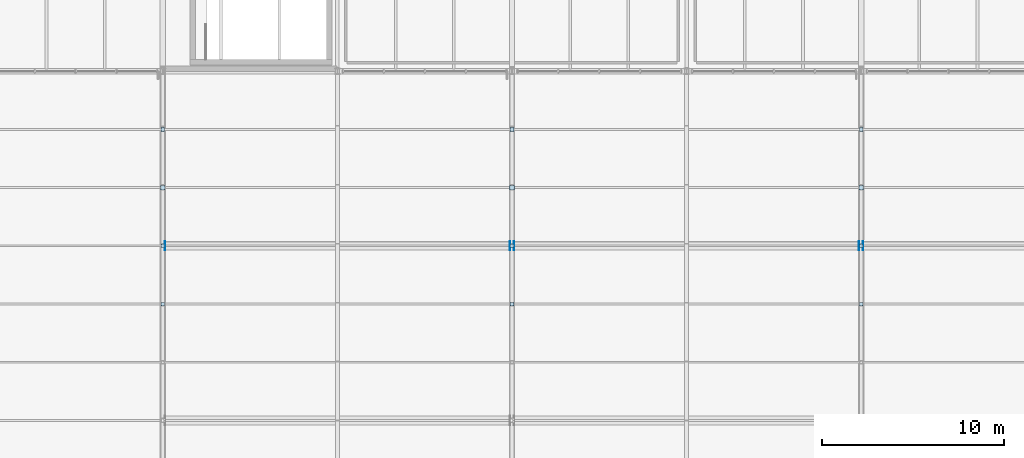
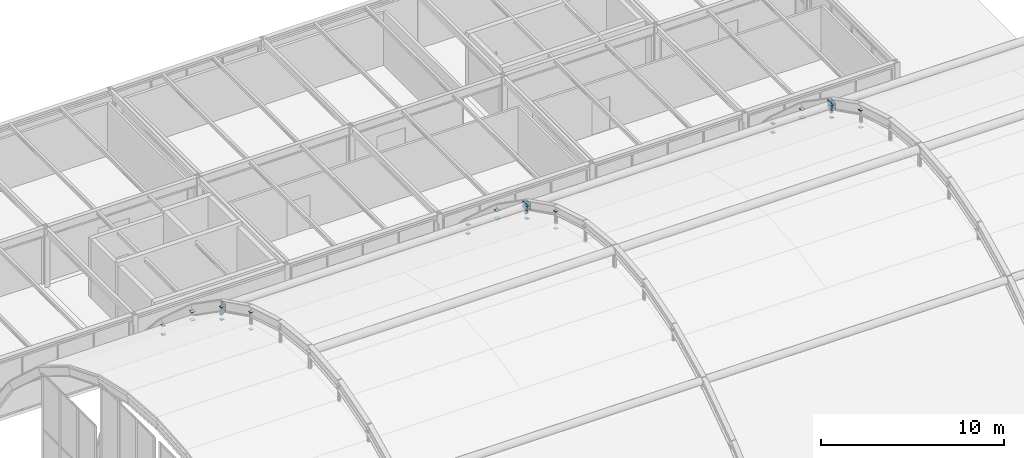
# One storey, part 114 of 126: 29 plates.
"""IFC4 building model written with IfcOpenShell, lengths in metres."""

from ifc_helpers import new_model, si_unit, direction, frame, origin, origin_2d, place, context, subcontext, project, spatial, rectangle, extrude, material, layer, layer_set, type_object, element, save


model = new_model("IFC4")

# Units and contexts
model_context = context("Model", 3, precision=1e-05, world=origin(), true_north=direction((0.0, 1.0)))
body_context = subcontext(model_context, "Body", "Model", "MODEL_VIEW")
ifc_project = project(units=[si_unit("LENGTHUNIT", "METRE"), si_unit("AREAUNIT", "SQUARE_METRE"), si_unit("VOLUMEUNIT", "CUBIC_METRE"), si_unit("PLANEANGLEUNIT", "RADIAN"), si_unit("MASSUNIT", "GRAM", prefix="KILO")], contexts=[model_context])

# Site, building, storey
site_placement = place(None, origin())
site = spatial("IfcSite", under=ifc_project, at=site_placement, CompositionType="ELEMENT")
building_placement = place(site_placement, origin())
building = spatial("IfcBuilding", under=site, at=building_placement, Name="Coralgate Yard Interchange", CompositionType="ELEMENT")
storey_placement = place(building_placement, frame((0.0, 0.0, 10.5)))
storey = spatial("IfcBuildingStorey", under=building, at=storey_placement, Name="L02", CompositionType="ELEMENT", Elevation=10.5)

# Plates
ifc_material = material(Name="Yellow-ochre weather-coated structural steel S355J2", Category="steel")
ifc_layer = layer(ifc_material, 0.02392578125)
ifc_layer_set = layer_set([ifc_layer], Name="Yellow-ochre weather-coated structural steel S355J2")
plate_type = type_object("IfcPlateType", Name="PLT-EP-24", PredefinedType="USERDEFINED", material=ifc_layer_set)
for number, where, z_axis, x_axis, name in (
    (1, (48.0, 64.0, 11.8203125), (0.0, 0.0, 1.0), (1.0, 0.0, 0.0), "Steel hollow section end cap plate CAP-HGR-1-08-T"),
    (2, (48.0, 64.0, 10.7021484375), (0.0, 0.0, -1.0), (1.0, 0.0, 0.0), "Steel hollow section end cap plate CAP-HGR-1-08-B"),
    (3, (48.0, 67.199951171875, 10.22314453125), (0.0, 0.0, 1.0), (1.0, 0.0, 0.0), "Steel hollow section end cap plate CAP-HGR-1-09-T"),
    (4, (48.0, 67.199951171875, 9.41455078125), (0.0, 0.0, -1.0), (1.0, 0.0, 0.0), "Steel hollow section end cap plate CAP-HGR-1-09-B"),
):
    element("IfcPlate", number, at=place(storey_placement, frame(where, z_axis=z_axis, x_axis=x_axis)), inside=storey, type_object=plate_type, Name=name, ObjectType="CAP PLATE", PredefinedType="USERDEFINED", context=body_context, shape_type="SweptSolid", body=[
        extrude(rectangle(XDim=0.197998046875, YDim=0.197998046875, at=origin_2d()), origin(), (0.0, 0.0, 1.0), 0.02392578125),
    ])
for number, where, z_axis, x_axis, name in (
    (5, (48.0, 70.39990234375, 7.98681640625), (0.0, 0.0, 1.0), (1.0, 0.0, 0.0), "Steel hollow section end cap plate CAP-HGR-1-10-T"),
    (6, (48.0, 70.39990234375, 7.451171875), (0.0, 0.0, -1.0), (1.0, 0.0, 0.0), "Steel hollow section end cap plate CAP-HGR-1-10-B"),
):
    element("IfcPlate", number, at=place(storey_placement, frame(where, z_axis=z_axis, x_axis=x_axis)), inside=storey, type_object=plate_type, Name=name, ObjectType="CAP PLATE", PredefinedType="USERDEFINED", context=body_context, shape_type="SweptSolid", body=[
        extrude(rectangle(XDim=0.2490234375, YDim=0.2490234375, at=origin_2d()), origin(), (0.0, 0.0, 1.0), 0.02392578125),
    ])
for number, where, z_axis, x_axis, name in (
    (7, (48.0, 73.60009765625, 5.11181640625), (0.0, 0.0, 1.0), (1.0, 0.0, 0.0), "Steel hollow section end cap plate CAP-HGR-1-11-T"),
    (8, (48.0, 73.60009765625, 4.5380859375), (0.0, 0.0, -1.0), (1.0, 0.0, 0.0), "Steel hollow section end cap plate CAP-HGR-1-11-B"),
    (9, (67.199951171875, 64.0, 11.8203125), (0.0, 0.0, 1.0), (1.0, 0.0, 0.0), "Steel hollow section end cap plate CAP-HGR-2-08-T"),
    (10, (67.199951171875, 64.0, 10.7021484375), (0.0, 0.0, -1.0), (1.0, 0.0, 0.0), "Steel hollow section end cap plate CAP-HGR-2-08-B"),
    (11, (67.199951171875, 67.199951171875, 10.22314453125), (0.0, 0.0, 1.0), (1.0, 0.0, 0.0), "Steel hollow section end cap plate CAP-HGR-2-09-T"),
    (12, (67.199951171875, 67.199951171875, 9.41455078125), (0.0, 0.0, -1.0), (1.0, 0.0, 0.0), "Steel hollow section end cap plate CAP-HGR-2-09-B"),
):
    element("IfcPlate", number, at=place(storey_placement, frame(where, z_axis=z_axis, x_axis=x_axis)), inside=storey, type_object=plate_type, Name=name, ObjectType="CAP PLATE", PredefinedType="USERDEFINED", context=body_context, shape_type="SweptSolid", body=[
        extrude(rectangle(XDim=0.197998046875, YDim=0.197998046875, at=origin_2d()), origin(), (0.0, 0.0, 1.0), 0.02392578125),
    ])
for number, where, z_axis, x_axis, name in (
    (13, (67.199951171875, 70.39990234375, 7.98681640625), (0.0, 0.0, 1.0), (1.0, 0.0, 0.0), "Steel hollow section end cap plate CAP-HGR-2-10-T"),
    (14, (67.199951171875, 70.39990234375, 7.451171875), (0.0, 0.0, -1.0), (1.0, 0.0, 0.0), "Steel hollow section end cap plate CAP-HGR-2-10-B"),
):
    element("IfcPlate", number, at=place(storey_placement, frame(where, z_axis=z_axis, x_axis=x_axis)), inside=storey, type_object=plate_type, Name=name, ObjectType="CAP PLATE", PredefinedType="USERDEFINED", context=body_context, shape_type="SweptSolid", body=[
        extrude(rectangle(XDim=0.2490234375, YDim=0.2490234375, at=origin_2d()), origin(), (0.0, 0.0, 1.0), 0.02392578125),
    ])
for number, where, z_axis, x_axis, name in (
    (15, (67.199951171875, 73.60009765625, 5.11181640625), (0.0, 0.0, 1.0), (1.0, 0.0, 0.0), "Steel hollow section end cap plate CAP-HGR-2-11-T"),
    (16, (67.199951171875, 73.60009765625, 4.5380859375), (0.0, 0.0, -1.0), (1.0, 0.0, 0.0), "Steel hollow section end cap plate CAP-HGR-2-11-B"),
    (17, (86.39990234375, 64.0, 11.8203125), (0.0, 0.0, 1.0), (1.0, 0.0, 0.0), "Steel hollow section end cap plate CAP-HGR-3-08-T"),
    (18, (86.39990234375, 64.0, 10.7021484375), (0.0, 0.0, -1.0), (1.0, 0.0, 0.0), "Steel hollow section end cap plate CAP-HGR-3-08-B"),
    (19, (86.39990234375, 67.199951171875, 10.22314453125), (0.0, 0.0, 1.0), (1.0, 0.0, 0.0), "Steel hollow section end cap plate CAP-HGR-3-09-T"),
    (20, (86.39990234375, 67.199951171875, 9.41455078125), (0.0, 0.0, -1.0), (1.0, 0.0, 0.0), "Steel hollow section end cap plate CAP-HGR-3-09-B"),
):
    element("IfcPlate", number, at=place(storey_placement, frame(where, z_axis=z_axis, x_axis=x_axis)), inside=storey, type_object=plate_type, Name=name, ObjectType="CAP PLATE", PredefinedType="USERDEFINED", context=body_context, shape_type="SweptSolid", body=[
        extrude(rectangle(XDim=0.197998046875, YDim=0.197998046875, at=origin_2d()), origin(), (0.0, 0.0, 1.0), 0.02392578125),
    ])
for number, where, z_axis, x_axis, name in (
    (21, (86.39990234375, 70.39990234375, 7.98681640625), (0.0, 0.0, 1.0), (1.0, 0.0, 0.0), "Steel hollow section end cap plate CAP-HGR-3-10-T"),
    (22, (86.39990234375, 70.39990234375, 7.451171875), (0.0, 0.0, -1.0), (1.0, 0.0, 0.0), "Steel hollow section end cap plate CAP-HGR-3-10-B"),
):
    element("IfcPlate", number, at=place(storey_placement, frame(where, z_axis=z_axis, x_axis=x_axis)), inside=storey, type_object=plate_type, Name=name, ObjectType="CAP PLATE", PredefinedType="USERDEFINED", context=body_context, shape_type="SweptSolid", body=[
        extrude(rectangle(XDim=0.2490234375, YDim=0.2490234375, at=origin_2d()), origin(), (0.0, 0.0, 1.0), 0.02392578125),
    ])
for number, where, z_axis, x_axis, name in (
    (23, (86.39990234375, 73.60009765625, 5.11181640625), (0.0, 0.0, 1.0), (1.0, 0.0, 0.0), "Steel hollow section end cap plate CAP-HGR-3-11-T"),
    (24, (86.39990234375, 73.60009765625, 4.5380859375), (0.0, 0.0, -1.0), (1.0, 0.0, 0.0), "Steel hollow section end cap plate CAP-HGR-3-11-B"),
):
    element("IfcPlate", number, at=place(storey_placement, frame(where, z_axis=z_axis, x_axis=x_axis)), inside=storey, type_object=plate_type, Name=name, ObjectType="CAP PLATE", PredefinedType="USERDEFINED", context=body_context, shape_type="SweptSolid", body=[
        extrude(rectangle(XDim=0.197998046875, YDim=0.197998046875, at=origin_2d()), origin(), (0.0, 0.0, 1.0), 0.02392578125),
    ])
for number, where, z_axis, x_axis, name in (
    (25, (48.1220703125, 67.199951171875, 10.25), (-1.0, 0.0, 0.0), (0.0, -1.0, 0.0), "Steel hollow section end cap plate CAP-ATIE-1-N-0"),
    (26, (67.078125, 67.199951171875, 10.25), (1.0, 0.0, 0.0), (0.0, 1.0, 0.0), "Steel hollow section end cap plate CAP-ATIE-1-N-1"),
    (27, (67.322021484375, 67.199951171875, 10.25), (-1.0, 0.0, 0.0), (0.0, -1.0, 0.0), "Steel hollow section end cap plate CAP-ATIE-2-N-0"),
    (28, (86.278076171875, 67.199951171875, 10.25), (1.0, 0.0, 0.0), (0.0, 1.0, 0.0), "Steel hollow section end cap plate CAP-ATIE-2-N-1"),
    (29, (86.52197265625, 67.199951171875, 10.25), (-1.0, 0.0, 0.0), (0.0, -1.0, 0.0), "Steel hollow section end cap plate CAP-ATIE-3-N-0"),
):
    element("IfcPlate", number, at=place(storey_placement, frame(where, z_axis=z_axis, x_axis=x_axis)), inside=storey, type_object=plate_type, Name=name, ObjectType="CAP PLATE", PredefinedType="USERDEFINED", context=body_context, shape_type="SweptSolid", body=[
        extrude(rectangle(XDim=0.487060546875, YDim=0.487060546875, at=origin_2d()), origin(), (0.0, 0.0, 1.0), 0.02392578125),
    ])

save(model, "model.ifc")
